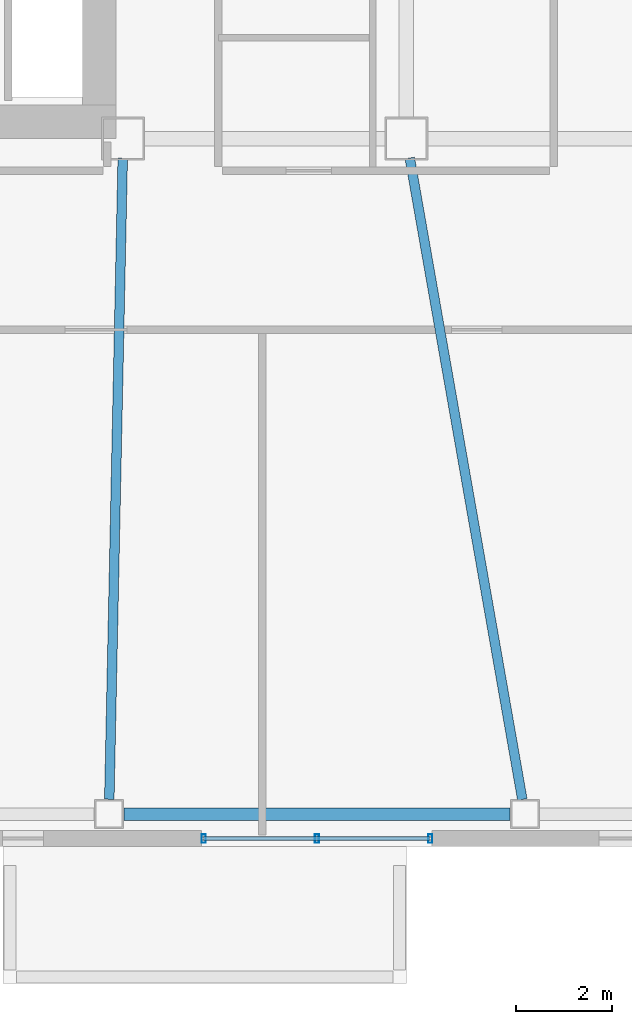
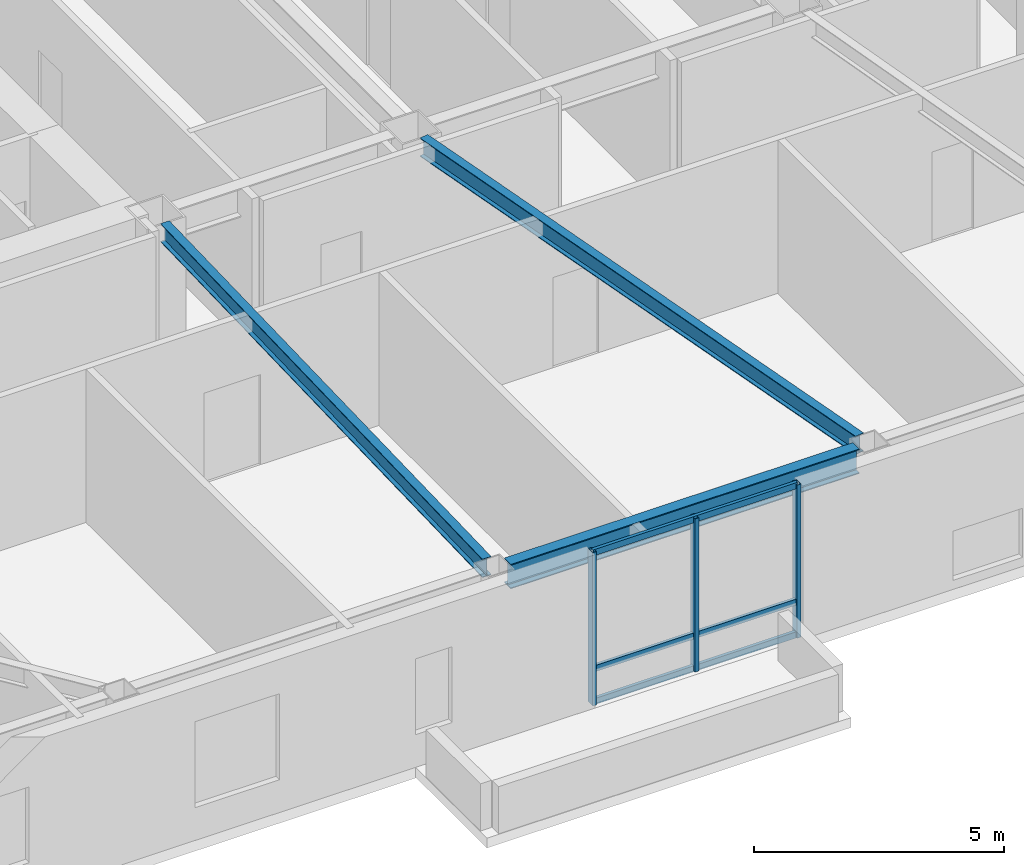
# One storey, part 2 of 18: 6 members, 3 beams, 1 element without a shape of its own.
"""IFC4 building model written with IfcOpenShell, lengths in metres."""

from ifc_helpers import new_model, si_unit, direction, frame, origin, origin_2d, place, context, subcontext, project, spatial, hollow_rectangle, i_section, extrude, material, layer, layer_set, material_profile, profile_set, type_object, element, aggregate, save


model = new_model("IFC4")

# Units and contexts
model_context = context("Model", 3, precision=1e-05, world=origin(), true_north=direction((0.0, 1.0)))
body_context = subcontext(model_context, "Body", "Model", "MODEL_VIEW")
ifc_project = project(units=[si_unit("LENGTHUNIT", "METRE"), si_unit("AREAUNIT", "SQUARE_METRE"), si_unit("VOLUMEUNIT", "CUBIC_METRE"), si_unit("PLANEANGLEUNIT", "RADIAN"), si_unit("MASSUNIT", "GRAM", prefix="KILO")], contexts=[model_context])

# Site, building, storey
site_placement = place(None, origin())
site = spatial("IfcSite", under=ifc_project, at=site_placement, CompositionType="ELEMENT")
building_placement = place(site_placement, origin())
building = spatial("IfcBuilding", under=site, at=building_placement, Name="Tavrogorsk Clinical Tower", CompositionType="ELEMENT")
storey_placement = place(building_placement, frame((0.0, 0.0, 168.199951171875)))
storey = spatial("IfcBuildingStorey", under=building, at=storey_placement, Name="L38", CompositionType="ELEMENT", Elevation=168.199951171875)

# Curtain wall, members
ifc_material_1 = material(Name="Anodised aluminium and triple IGU glazing", Category="aluminium")
ifc_layer = layer(ifc_material_1, 0.179931640625)
ifc_layer_set = layer_set([ifc_layer], Name="Anodised aluminium and triple IGU glazing")
curtain_wall_type = type_object("IfcCurtainWallType", Name="CW3_SouthSlot", PredefinedType="NOTDEFINED", material=ifc_layer_set)
curtain_wall_placement = place(storey_placement, origin())
curtain_wall = element("IfcCurtainWall", 1, at=curtain_wall_placement, inside=storey, type_object=curtain_wall_type, Name="L38 Curtain Wall CW-L38-S-SLOT-1", PredefinedType="NOTDEFINED")
ifc_material_2 = material(Name="Anodised aluminium alloy AW-6060", Category="aluminium")
ifc_material_profile_1 = material_profile(ifc_material_2, hollow_rectangle(XDim=0.090087890625, YDim=0.179931640625, WallThickness=0.00634765625, at=origin_2d()), Name="RHS-180x90x6.3")
ifc_profile_set_1 = profile_set([ifc_material_profile_1], Name="Anodised aluminium alloy AW-6060")
member_type_1 = type_object("IfcMemberType", Name="CwMullion_180x90", PredefinedType="MULLION", material=ifc_profile_set_1)
member_1_placement = place(storey_placement, frame((-8.621826171875, -20.929931640625, 0.0), z_axis=(0.0, 0.0, 1.0), x_axis=(1.0, 0.0, 0.0)))
member_1 = element("IfcMember", 2, at=member_1_placement, type_object=member_type_1, Name="CW-L38-S-SLOT-1 Mullion 1", PredefinedType="MULLION", context=body_context, shape_type="SweptSolid", body=[
    extrude(hollow_rectangle(XDim=0.090087890625, YDim=0.179931640625, WallThickness=0.00634765625, at=origin_2d()), origin(), (0.0, 0.0, 1.0), 3.739990234375),
])
member_2_placement = place(storey_placement, frame((-6.262939453125, -20.929931640625, 0.0), z_axis=(0.0, 0.0, 1.0), x_axis=(1.0, 0.0, 0.0)))
member_2 = element("IfcMember", 3, at=member_2_placement, type_object=member_type_1, Name="CW-L38-S-SLOT-1 Mullion 2", PredefinedType="MULLION", context=body_context, shape_type="SweptSolid", body=[
    extrude(hollow_rectangle(XDim=0.090087890625, YDim=0.179931640625, WallThickness=0.00634765625, at=origin_2d()), origin(), (0.0, 0.0, 1.0), 3.739990234375),
])
member_3_placement = place(storey_placement, frame((-3.90380859375, -20.929931640625, 0.0), z_axis=(0.0, 0.0, 1.0), x_axis=(1.0, 0.0, 0.0)))
member_3 = element("IfcMember", 4, at=member_3_placement, type_object=member_type_1, Name="CW-L38-S-SLOT-1 Mullion 3", PredefinedType="MULLION", context=body_context, shape_type="SweptSolid", body=[
    extrude(hollow_rectangle(XDim=0.090087890625, YDim=0.179931640625, WallThickness=0.00634765625, at=origin_2d()), origin(), (0.0, 0.0, 1.0), 3.739990234375),
])
ifc_material_3 = material(Name="Anodised aluminium alloy AW-6060", Category="aluminium")
ifc_material_profile_2 = material_profile(ifc_material_3, hollow_rectangle(XDim=0.074951171875, YDim=0.14990234375, WallThickness=0.0048828125, at=origin_2d()), Name="RHS-150x75x5")
ifc_profile_set_2 = profile_set([ifc_material_profile_2], Name="Anodised aluminium alloy AW-6060")
member_type_2 = type_object("IfcMemberType", Name="CwTransom_150x75", PredefinedType="USERDEFINED", material=ifc_profile_set_2)
member_4_placement = place(storey_placement, frame((-8.621826171875, -20.929931640625, 0.050048828125), z_axis=(1.0, 0.0, 0.0), x_axis=(0.0, 1.0, 0.0)))
member_4 = element("IfcMember", 5, at=member_4_placement, type_object=member_type_2, Name="CW-L38-S-SLOT-1 Transom 1", ObjectType="TRANSOM", PredefinedType="USERDEFINED", context=body_context, shape_type="SweptSolid", body=[
    extrude(hollow_rectangle(XDim=0.074951171875, YDim=0.14990234375, WallThickness=0.0048828125, at=origin_2d()), origin(), (0.0, 0.0, 1.0), 4.718017578125),
])
member_5_placement = place(storey_placement, frame((-8.621826171875, -20.929931640625, 0.85009765625), z_axis=(1.0, 0.0, 0.0), x_axis=(0.0, 1.0, 0.0)))
member_5 = element("IfcMember", 6, at=member_5_placement, type_object=member_type_2, Name="CW-L38-S-SLOT-1 Transom 2", ObjectType="TRANSOM", PredefinedType="USERDEFINED", context=body_context, shape_type="SweptSolid", body=[
    extrude(hollow_rectangle(XDim=0.074951171875, YDim=0.14990234375, WallThickness=0.0048828125, at=origin_2d()), origin(), (0.0, 0.0, 1.0), 4.718017578125),
])
member_6_placement = place(storey_placement, frame((-8.621826171875, -20.929931640625, 3.68994140625), z_axis=(1.0, 0.0, 0.0), x_axis=(0.0, 1.0, 0.0)))
member_6 = element("IfcMember", 7, at=member_6_placement, type_object=member_type_2, Name="CW-L38-S-SLOT-1 Transom 3", ObjectType="TRANSOM", PredefinedType="USERDEFINED", context=body_context, shape_type="SweptSolid", body=[
    extrude(hollow_rectangle(XDim=0.074951171875, YDim=0.14990234375, WallThickness=0.0048828125, at=origin_2d()), origin(), (0.0, 0.0, 1.0), 4.718017578125),
])
aggregate(curtain_wall, [member_1, member_2, member_3, member_4, member_5, member_6])

# Beams
ifc_material_4 = material(Name="Structural steel S355", Category="steel")
ifc_material_profile_3 = material_profile(ifc_material_4, i_section(OverallWidth=0.199951171875, OverallDepth=0.449951171875, WebThickness=0.011474609375, FlangeThickness=0.01806640625, at=origin_2d()), Name="B-450x200x11.5x18")
ifc_profile_set_3 = profile_set([ifc_material_profile_3], Name="Structural steel S355")
beam_type_1 = type_object("IfcBeamType", Name="FloorBeam_B450", PredefinedType="BEAM", material=ifc_profile_set_3)
beam_1_placement = place(storey_placement, frame((-10.30859375, -6.760009765625, 3.51513671875), z_axis=(-0.020913325994, -0.999781292481, 0.0), x_axis=(0.999781292481, -0.020913325994, 0.0)))
element("IfcBeam", 8, at=beam_1_placement, inside=storey, type_object=beam_type_1, Name="L38 Radial Floor Beam S3", PredefinedType="BEAM", context=body_context, shape_type="SweptSolid", body=[
    extrude(i_section(OverallWidth=0.199951171875, OverallDepth=0.449951171875, WebThickness=0.011474609375, FlangeThickness=0.01806640625, at=origin_2d()), origin(), (0.0, 0.0, 1.0), 13.35498046875),
])
beam_2_placement = place(storey_placement, frame((-4.3291015625, -6.75390625, 3.51513671875), z_axis=(0.172808972689, -0.984955358866, 0.0), x_axis=(0.984955358866, 0.172808972689, 0.0)))
element("IfcBeam", 9, at=beam_2_placement, inside=storey, type_object=beam_type_1, Name="L38 Radial Floor Beam S4", PredefinedType="BEAM", context=body_context, shape_type="SweptSolid", body=[
    extrude(i_section(OverallWidth=0.199951171875, OverallDepth=0.449951171875, WebThickness=0.011474609375, FlangeThickness=0.01806640625, at=origin_2d()), origin(), (0.0, 0.0, 1.0), 13.56689453125),
])
ifc_material_5 = material(Name="Structural steel S390", Category="steel")
ifc_material_profile_4 = material_profile(ifc_material_5, i_section(OverallWidth=0.260009765625, OverallDepth=0.60009765625, WebThickness=0.014892578125, FlangeThickness=0.02392578125, at=origin_2d()), Name="B-600x260x15x24")
ifc_profile_set_4 = profile_set([ifc_material_profile_4], Name="Structural steel S390")
beam_type_2 = type_object("IfcBeamType", Name="SpandrelBeam_B600", PredefinedType="SPANDREL", material=ifc_profile_set_4)
beam_3_placement = place(storey_placement, frame((-10.286376953125, -20.419921875, 3.43994140625), z_axis=(1.0, 0.0, 0.0), x_axis=(0.0, 1.0, 0.0)))
element("IfcBeam", 10, at=beam_3_placement, inside=storey, type_object=beam_type_2, Name="L38 Perimeter Spandrel S3-S4", PredefinedType="SPANDREL", context=body_context, shape_type="SweptSolid", body=[
    extrude(i_section(OverallWidth=0.260009765625, OverallDepth=0.60009765625, WebThickness=0.014892578125, FlangeThickness=0.02392578125, at=origin_2d()), origin(), (0.0, 0.0, 1.0), 8.046875),
])

save(model, "model.ifc")
